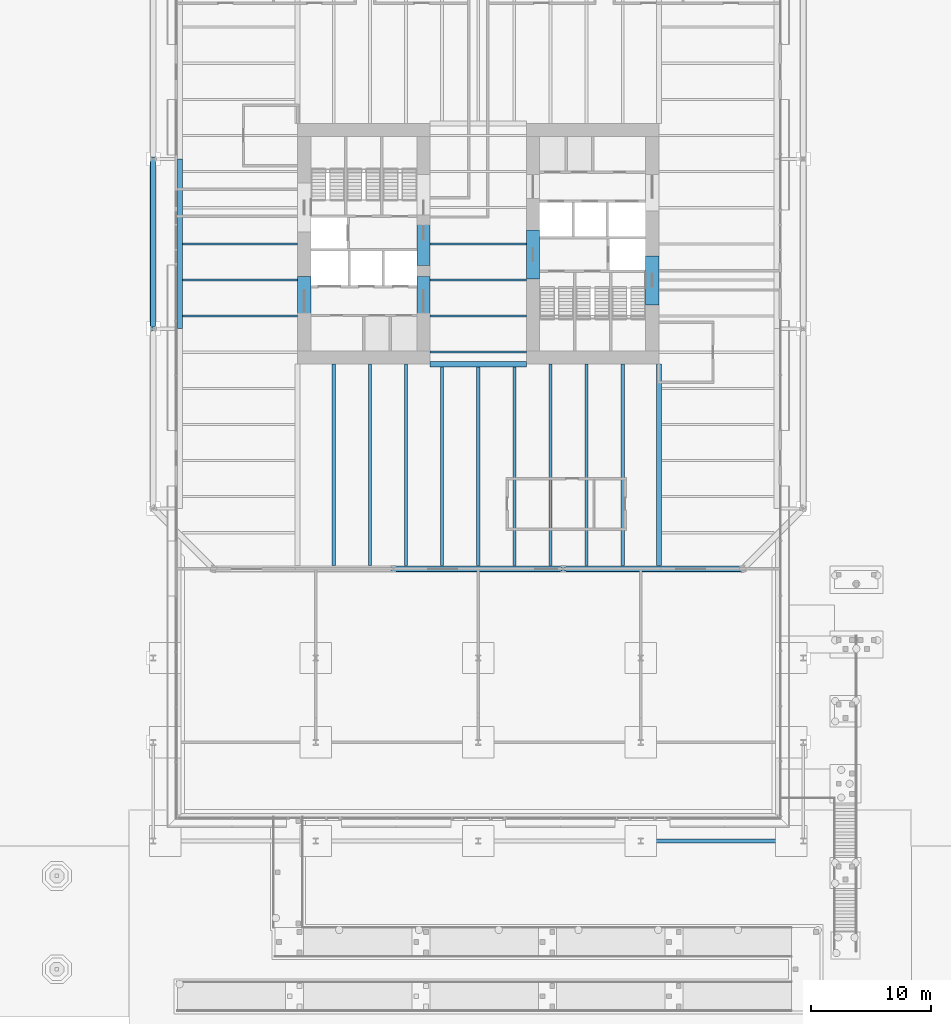
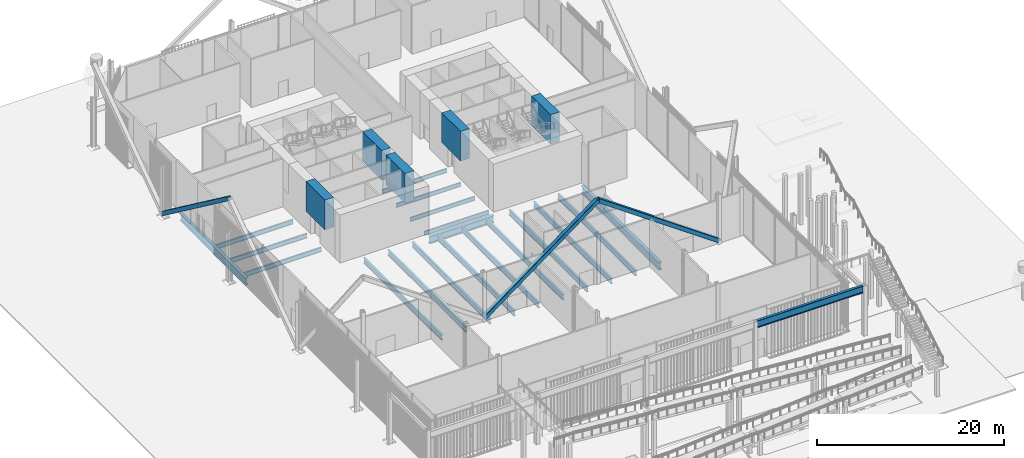
# One storey, part 6 of 28: 25 beams, 3 members.
"""IFC4 building model written with IfcOpenShell, lengths in metres."""

from ifc_helpers import new_model, si_unit, direction, frame, origin, origin_2d, place, context, subcontext, project, spatial, rectangle, hollow_rectangle, i_section, extrude, material, material_profile, profile_set, type_object, element, save


model = new_model("IFC4")

# Units and contexts
model_context = context("Model", 3, precision=1e-05, world=origin(), true_north=direction((0.0, 1.0)))
body_context = subcontext(model_context, "Body", "Model", "MODEL_VIEW")
ifc_project = project(units=[si_unit("LENGTHUNIT", "METRE"), si_unit("AREAUNIT", "SQUARE_METRE"), si_unit("VOLUMEUNIT", "CUBIC_METRE"), si_unit("PLANEANGLEUNIT", "RADIAN"), si_unit("MASSUNIT", "GRAM", prefix="KILO")], contexts=[model_context])

# Site, building, storey
site_placement = place(None, origin())
site = spatial("IfcSite", under=ifc_project, at=site_placement, CompositionType="ELEMENT")
building_placement = place(site_placement, origin())
building = spatial("IfcBuilding", under=site, at=building_placement, Name="Millrace Tower", CompositionType="ELEMENT")
storey_placement = place(building_placement, origin())
storey = spatial("IfcBuildingStorey", under=building, at=storey_placement, Name="L01", CompositionType="ELEMENT", Elevation=0.0)

# Beams
ifc_material_1 = material(Name="Concrete C80", Category="concrete")
ifc_material_profile_1 = material_profile(ifc_material_1, rectangle(XDim=1.10009765625, YDim=3.875, at=origin_2d()))
ifc_profile_set_1 = profile_set([ifc_material_profile_1], Name="Concrete C80")
beam_type_1 = type_object("IfcBeamType", Name="Coupling beam 1100 x 3875 Concrete C80, 1300 opening", PredefinedType="BEAM", material=ifc_profile_set_1)
for number, where, z_axis, x_axis, name in (
    (1, (-4.550048828125, -1.813232421875, 4.33740234375), (0.0, 1.0, 0.0), (-1.0, 0.0, 0.0), "Coupling beam W L01"),
    (2, (14.449951171875, -0.99560546875, 4.33740234375), (0.0, -1.0, 0.0), (1.0, 0.0, 0.0), "Coupling beam E L01"),
    (3, (4.550048828125, 1.134521484375, 4.33740234375), (0.0, -1.0, 0.0), (1.0, 0.0, 0.0), "Coupling beam E L01"),
):
    element("IfcBeam", number, at=place(storey_placement, frame(where, z_axis=z_axis, x_axis=x_axis)), inside=storey, type_object=beam_type_1, Name=name, PredefinedType="BEAM", context=body_context, shape_type="SweptSolid", body=[
        extrude(rectangle(XDim=1.10009765625, YDim=3.875, at=origin_2d()), origin(), (0.0, 0.0, 1.0), 4.06884765625),
    ])
ifc_material_2 = material(Name="Concrete C80", Category="concrete")
ifc_material_profile_2 = material_profile(ifc_material_2, rectangle(XDim=1.10009765625, YDim=3.875, at=origin_2d()))
ifc_profile_set_2 = profile_set([ifc_material_profile_2], Name="Concrete C80")
beam_type_2 = type_object("IfcBeamType", Name="Coupling beam 1100 x 3875 Concrete C80, 2000 opening", PredefinedType="BEAM", material=ifc_profile_set_2)
for number, where, z_axis, x_axis, name in (
    (4, (-14.449951171875, -6.784423828125, 4.33740234375), (0.0, 1.0, 0.0), (-1.0, 0.0, 0.0), "Coupling beam W L01"),
    (5, (-4.550048828125, -6.784423828125, 4.33740234375), (0.0, 1.0, 0.0), (-1.0, 0.0, 0.0), "Coupling beam W L01"),
):
    element("IfcBeam", number, at=place(storey_placement, frame(where, z_axis=z_axis, x_axis=x_axis)), inside=storey, type_object=beam_type_2, Name=name, PredefinedType="BEAM", context=body_context, shape_type="SweptSolid", body=[
        extrude(rectangle(XDim=1.10009765625, YDim=3.875, at=origin_2d()), origin(), (0.0, 0.0, 1.0), 4.06884765625),
    ])

# Members
ifc_material_3 = material(Name="Steel ASTM A500 Grade C", Category="steel")
ifc_material_profile_3 = material_profile(ifc_material_3, hollow_rectangle(XDim=0.508056640625, YDim=0.508056640625, WallThickness=0.022216796875, InnerFilletRadius=0.01123046875, OuterFilletRadius=0.033447265625, at=origin_2d()))
ifc_profile_set_3 = profile_set([ifc_material_profile_3], Name="Steel ASTM A500 Grade C")
member_type = type_object("IfcMemberType", Name="Exoskeleton brace HSS20x20x7/8", PredefinedType="BRACE", material=ifc_profile_set_3)
member_1_placement = place(storey_placement, frame((-7.050048828125, -27.0, 0.39990234375), z_axis=(0.80204509192, 0.0, 0.597263485011), x_axis=(0.0, 1.0, 0.0)))
element("IfcMember", 6, at=member_1_placement, inside=storey, type_object=member_type, Name="BRC-A-L01-03", PredefinedType="BRACE", context=body_context, shape_type="SweptSolid", body=[
    extrude(hollow_rectangle(XDim=0.508056640625, YDim=0.508056640625, WallThickness=0.022216796875, InnerFilletRadius=0.01123046875, OuterFilletRadius=0.033447265625, at=origin_2d()), origin(), (0.0, 0.0, 1.0), 17.580078125),
])
member_2_placement = place(storey_placement, frame((21.978515625, -27.0, 0.39990234375), z_axis=(-0.817940936421, 0.0, 0.575302202783), x_axis=(0.0, -1.0, 0.0)))
element("IfcMember", 7, at=member_2_placement, inside=storey, type_object=member_type, Name="BRC-A-L01-04", PredefinedType="BRACE", context=body_context, shape_type="SweptSolid", body=[
    extrude(hollow_rectangle(XDim=0.508056640625, YDim=0.508056640625, WallThickness=0.022216796875, InnerFilletRadius=0.01123046875, OuterFilletRadius=0.033447265625, at=origin_2d()), origin(), (0.0, 0.0, 1.0), 18.251220703125),
])
member_3_placement = place(storey_placement, frame((-27.0, 7.050048828125, 0.39990234375), z_axis=(0.0, -0.80204509192, 0.597263485011), x_axis=(1.0, 0.0, 0.0)))
element("IfcMember", 8, at=member_3_placement, inside=storey, type_object=member_type, Name="BRC-A-L01-15", PredefinedType="BRACE", context=body_context, shape_type="SweptSolid", body=[
    extrude(hollow_rectangle(XDim=0.508056640625, YDim=0.508056640625, WallThickness=0.022216796875, InnerFilletRadius=0.01123046875, OuterFilletRadius=0.033447265625, at=origin_2d()), origin(), (0.0, 0.0, 1.0), 17.580078125),
])

# Beams
ifc_material_4 = material(Name="Steel ASTM A992 Grade 50", Category="steel")
ifc_material_profile_4 = material_profile(ifc_material_4, i_section(OverallWidth=0.1650390625, OverallDepth=0.52587890625, WebThickness=0.0087890625, FlangeThickness=0.011474609375, FilletRadius=0.0126953125, at=origin_2d()))
ifc_profile_set_4 = profile_set([ifc_material_profile_4], Name="Steel ASTM A992 Grade 50")
beam_type_3 = type_object("IfcBeamType", Name="Floor beam W21x44", PredefinedType="JOIST", material=ifc_profile_set_4)
for number, where, z_axis, x_axis, name in (
    (9, (-4.0, -9.0, -0.56298828125), (1.0, 0.0, 0.0), (0.0, 1.0, 0.0), "BM-A-L01-S1-S011"),
    (10, (-4.0, -6.0, -0.56298828125), (1.0, 0.0, 0.0), (0.0, 1.0, 0.0), "BM-A-L01-S1-S014"),
    (11, (-4.0, -3.0, -0.56298828125), (1.0, 0.0, 0.0), (0.0, 1.0, 0.0), "BM-A-L01-S1-S017"),
    (12, (-4.0, 0.0, -0.56298828125), (1.0, 0.0, 0.0), (0.0, 1.0, 0.0), "BM-A-L01-S1-S020"),
):
    element("IfcBeam", number, at=place(storey_placement, frame(where, z_axis=z_axis, x_axis=x_axis)), inside=storey, type_object=beam_type_3, Name=name, PredefinedType="JOIST", context=body_context, shape_type="SweptSolid", body=[
        extrude(i_section(OverallWidth=0.1650390625, OverallDepth=0.52587890625, WebThickness=0.0087890625, FlangeThickness=0.011474609375, FilletRadius=0.0126953125, at=origin_2d()), origin(), (0.0, 0.0, 1.0), 8.0),
    ])
ifc_material_5 = material(Name="Steel ASTM A992 Grade 50", Category="steel")
ifc_material_profile_5 = material_profile(ifc_material_5, i_section(OverallWidth=0.177978515625, OverallDepth=0.599365234375, WebThickness=0.010009765625, FlangeThickness=0.012939453125, FilletRadius=0.012939453125, at=origin_2d()))
ifc_profile_set_5 = profile_set([ifc_material_profile_5], Name="Steel ASTM A992 Grade 50")
beam_type_4 = type_object("IfcBeamType", Name="Floor beam W24x55", PredefinedType="JOIST", material=ifc_profile_set_5)
for number, where, z_axis, x_axis, name in (
    (13, (-24.578369140625, -6.0, -0.599609375), (1.0, 0.0, 0.0), (0.0, 1.0, 0.0), "BM-A-L01-S1-S015"),
    (14, (-24.578369140625, -3.0, -0.599609375), (1.0, 0.0, 0.0), (0.0, 1.0, 0.0), "BM-A-L01-S1-S018"),
    (15, (-24.578369140625, 0.0, -0.599609375), (1.0, 0.0, 0.0), (0.0, 1.0, 0.0), "BM-A-L01-S1-S021"),
):
    element("IfcBeam", number, at=place(storey_placement, frame(where, z_axis=z_axis, x_axis=x_axis)), inside=storey, type_object=beam_type_4, Name=name, PredefinedType="JOIST", context=body_context, shape_type="SweptSolid", body=[
        extrude(i_section(OverallWidth=0.177978515625, OverallDepth=0.599365234375, WebThickness=0.010009765625, FlangeThickness=0.012939453125, FilletRadius=0.012939453125, at=origin_2d()), origin(), (0.0, 0.0, 1.0), 9.578369140625),
    ])
ifc_material_6 = material(Name="Steel ASTM A992 Grade 50", Category="steel")
ifc_material_profile_6 = material_profile(ifc_material_6, i_section(OverallWidth=0.256591796875, OverallDepth=0.693359375, WebThickness=0.014404296875, FlangeThickness=0.023681640625, FilletRadius=0.01513671875, at=origin_2d()))
ifc_profile_set_6 = profile_set([ifc_material_profile_6], Name="Steel ASTM A992 Grade 50")
beam_type_5 = type_object("IfcBeamType", Name="Floor beam W27x114", PredefinedType="JOIST", material=ifc_profile_set_6)
for number, where, z_axis, x_axis, name in (
    (16, (-12.0, -26.699951171875, -0.646728515625), (0.0, 1.0, 0.0), (-1.0, 0.0, 0.0), "BM-A-L01-S1-S043"),
    (17, (-9.0, -26.699951171875, -0.646728515625), (0.0, 1.0, 0.0), (-1.0, 0.0, 0.0), "BM-A-L01-S1-S045"),
    (18, (-6.0, -26.699951171875, -0.646728515625), (0.0, 1.0, 0.0), (-1.0, 0.0, 0.0), "BM-A-L01-S1-S047"),
):
    element("IfcBeam", number, at=place(storey_placement, frame(where, z_axis=z_axis, x_axis=x_axis)), inside=storey, type_object=beam_type_5, Name=name, PredefinedType="JOIST", context=body_context, shape_type="SweptSolid", body=[
        extrude(i_section(OverallWidth=0.256591796875, OverallDepth=0.693359375, WebThickness=0.014404296875, FlangeThickness=0.023681640625, FilletRadius=0.01513671875, at=origin_2d()), origin(), (0.0, 0.0, 1.0), 16.699951171875),
    ])
for number, where, z_axis, x_axis, name in (
    (19, (-3.0, -26.699951171875, -0.646728515625), (0.0, 1.0, 0.0), (-1.0, 0.0, 0.0), "BM-A-L01-S1-S049"),
    (20, (0.0, -26.699951171875, -0.646728515625), (0.0, 1.0, 0.0), (-1.0, 0.0, 0.0), "BM-A-L01-S1-S051"),
    (21, (3.0, -26.699951171875, -0.646728515625), (0.0, 1.0, 0.0), (-1.0, 0.0, 0.0), "BM-A-L01-S1-S053"),
):
    element("IfcBeam", number, at=place(storey_placement, frame(where, z_axis=z_axis, x_axis=x_axis)), inside=storey, type_object=beam_type_5, Name=name, PredefinedType="JOIST", context=body_context, shape_type="SweptSolid", body=[
        extrude(i_section(OverallWidth=0.256591796875, OverallDepth=0.693359375, WebThickness=0.014404296875, FlangeThickness=0.023681640625, FilletRadius=0.01513671875, at=origin_2d()), origin(), (0.0, 0.0, 1.0), 16.48779296875),
    ])
for number, where, z_axis, x_axis, name in (
    (22, (6.0, -26.699951171875, -0.646728515625), (0.0, 1.0, 0.0), (-1.0, 0.0, 0.0), "BM-A-L01-S1-S055"),
    (23, (9.0, -26.699951171875, -0.646728515625), (0.0, 1.0, 0.0), (-1.0, 0.0, 0.0), "BM-A-L01-S1-S057"),
    (24, (12.0, -26.699951171875, -0.646728515625), (0.0, 1.0, 0.0), (-1.0, 0.0, 0.0), "BM-A-L01-S1-S059"),
):
    element("IfcBeam", number, at=place(storey_placement, frame(where, z_axis=z_axis, x_axis=x_axis)), inside=storey, type_object=beam_type_5, Name=name, PredefinedType="JOIST", context=body_context, shape_type="SweptSolid", body=[
        extrude(i_section(OverallWidth=0.256591796875, OverallDepth=0.693359375, WebThickness=0.014404296875, FlangeThickness=0.023681640625, FilletRadius=0.01513671875, at=origin_2d()), origin(), (0.0, 0.0, 1.0), 16.699951171875),
    ])
ifc_material_7 = material(Name="Steel ASTM A992 Grade 50", Category="steel")
ifc_material_profile_7 = material_profile(ifc_material_7, i_section(OverallWidth=0.424072265625, OverallDepth=0.947509765625, WebThickness=0.02392578125, FlangeThickness=0.042724609375, FilletRadius=0.024169921875, at=origin_2d()))
ifc_profile_set_7 = profile_set([ifc_material_profile_7], Name="Steel ASTM A992 Grade 50")
beam_type_6 = type_object("IfcBeamType", Name="Girder medium span W36x302", PredefinedType="BEAM", material=ifc_profile_set_7)
beam_1_placement = place(storey_placement, frame((15.0, -26.699951171875, -0.773681640625), z_axis=(0.0, 1.0, 0.0), x_axis=(-1.0, 0.0, 0.0)))
element("IfcBeam", 25, at=beam_1_placement, inside=storey, type_object=beam_type_6, Name="BM-A-L01-S1-G063", PredefinedType="BEAM", context=body_context, shape_type="SweptSolid", body=[
    extrude(i_section(OverallWidth=0.424072265625, OverallDepth=0.947509765625, WebThickness=0.02392578125, FlangeThickness=0.042724609375, FilletRadius=0.024169921875, at=origin_2d()), origin(), (0.0, 0.0, 1.0), 16.699951171875),
])
ifc_material_8 = material(Name="Steel ASTM A992 Grade 50", Category="steel")
ifc_material_profile_8 = material_profile(ifc_material_8, i_section(OverallWidth=0.424072265625, OverallDepth=0.947509765625, WebThickness=0.02392578125, FlangeThickness=0.042724609375, FilletRadius=0.024169921875, at=origin_2d()))
ifc_profile_set_8 = profile_set([ifc_material_profile_8], Name="Steel ASTM A992 Grade 50")
beam_type_7 = type_object("IfcBeamType", Name="Girder short span W36x302", PredefinedType="BEAM", material=ifc_profile_set_8)
beam_2_placement = place(storey_placement, frame((-4.0, -10.0, -0.773681640625), z_axis=(1.0, 0.0, 0.0), x_axis=(0.0, 1.0, 0.0)))
element("IfcBeam", 26, at=beam_2_placement, inside=storey, type_object=beam_type_7, Name="BM-A-L01-S1-G065", PredefinedType="BEAM", context=body_context, shape_type="SweptSolid", body=[
    extrude(i_section(OverallWidth=0.424072265625, OverallDepth=0.947509765625, WebThickness=0.02392578125, FlangeThickness=0.042724609375, FilletRadius=0.024169921875, at=origin_2d()), origin(), (0.0, 0.0, 1.0), 8.0),
])
ifc_material_9 = material(Name="Steel ASTM A992 Grade 50", Category="steel")
ifc_material_profile_9 = material_profile(ifc_material_9, i_section(OverallWidth=0.421630859375, OverallDepth=0.937255859375, WebThickness=0.021240234375, FlangeThickness=0.03662109375, FilletRadius=0.024169921875, at=origin_2d()))
ifc_profile_set_9 = profile_set([ifc_material_profile_9], Name="Steel ASTM A992 Grade 50")
beam_type_8 = type_object("IfcBeamType", Name="Ring beam medium span W36x262", PredefinedType="SPANDREL", material=ifc_profile_set_9)
beam_3_placement = place(storey_placement, frame((-24.7890625, -7.050048828125, -0.7685546875), z_axis=(0.0, 1.0, 0.0), x_axis=(-1.0, 0.0, 0.0)))
element("IfcBeam", 27, at=beam_3_placement, inside=storey, type_object=beam_type_8, Name="RNG-A-L01-S1-02", PredefinedType="SPANDREL", context=body_context, shape_type="SweptSolid", body=[
    extrude(i_section(OverallWidth=0.421630859375, OverallDepth=0.937255859375, WebThickness=0.021240234375, FlangeThickness=0.03662109375, FilletRadius=0.024169921875, at=origin_2d()), origin(), (0.0, 0.0, 1.0), 14.10009765625),
])
ifc_material_10 = material(Name="Steel ASTM A992 Grade 50", Category="steel")
ifc_material_profile_10 = material_profile(ifc_material_10, i_section(OverallWidth=0.307373046875, OverallDepth=0.927001953125, WebThickness=0.01953125, FlangeThickness=0.031982421875, FilletRadius=0.01904296875, at=origin_2d()))
ifc_profile_set_10 = profile_set([ifc_material_profile_10], Name="Steel ASTM A992 Grade 50")
beam_type_9 = type_object("IfcBeamType", Name="Terrace edge beam W36x194", PredefinedType="BEAM", material=ifc_profile_set_10)
beam_4_placement = place(storey_placement, frame((13.7158203125, -49.60009765625, 6.036376953125), z_axis=(1.0, 0.0, 0.0), x_axis=(0.0, 1.0, 0.0)))
element("IfcBeam", 28, at=beam_4_placement, inside=storey, type_object=beam_type_9, Name="BM-WING-L01-EDGE04", PredefinedType="BEAM", context=body_context, shape_type="SweptSolid", body=[
    extrude(i_section(OverallWidth=0.307373046875, OverallDepth=0.927001953125, WebThickness=0.01953125, FlangeThickness=0.031982421875, FilletRadius=0.01904296875, at=origin_2d()), origin(), (0.0, 0.0, 1.0), 13.068359375),
])

save(model, "model.ifc")
